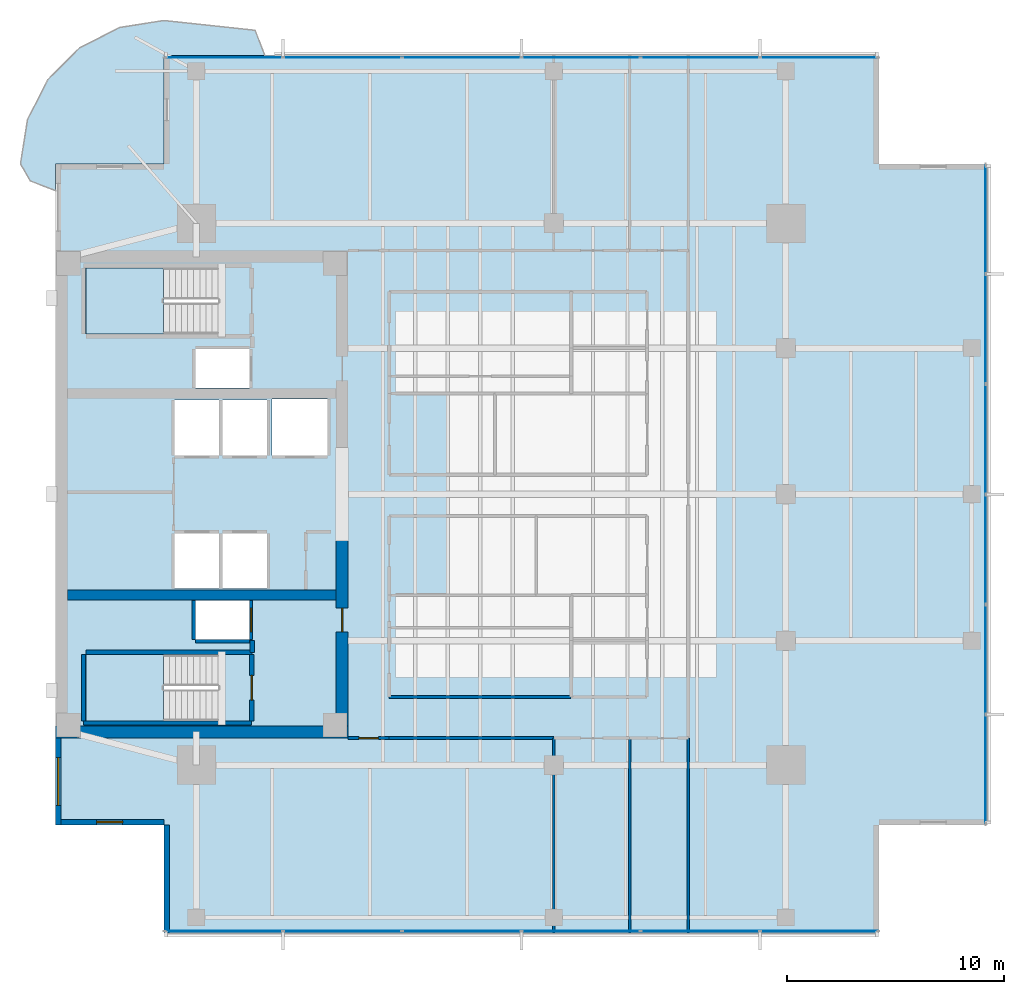
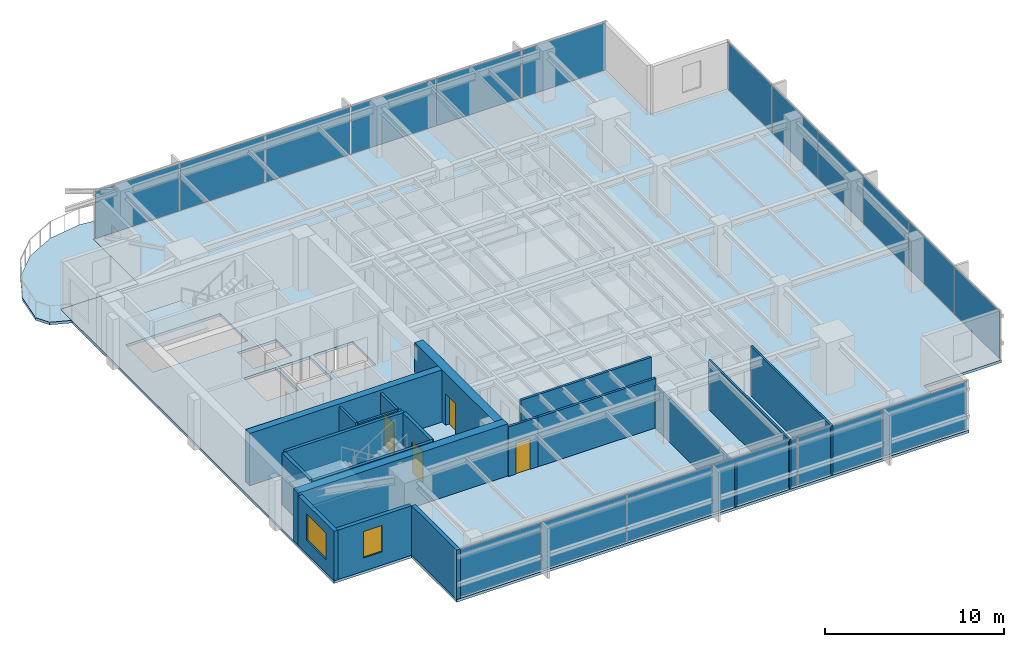
# One storey, part 7 of 14: 20 walls, 18 plates, 4 doors, 4 slabs, 2 windows, 6 openings, 5 elements without a shape of their own.
"""IFC4 building model written with IfcOpenShell, lengths in metres."""

from ifc_helpers import new_model, si_unit, direction, frame, frame_2d, origin, origin_2d, place, context, subcontext, project, spatial, polyline, rectangle, outline, extrude, material, layer, layer_set, type_object, element, fill, aggregate, save


model = new_model("IFC4")

# Units and contexts
model_context = context("Model", 3, precision=1e-05, world=origin(), true_north=direction((0.0, 1.0)))
body_context = subcontext(model_context, "Body", "Model", "MODEL_VIEW")
ifc_project = project(units=[si_unit("LENGTHUNIT", "METRE"), si_unit("AREAUNIT", "SQUARE_METRE"), si_unit("VOLUMEUNIT", "CUBIC_METRE"), si_unit("PLANEANGLEUNIT", "RADIAN"), si_unit("MASSUNIT", "GRAM", prefix="KILO")], contexts=[model_context])

# Site, building, storey
site_placement = place(None, origin())
site = spatial("IfcSite", under=ifc_project, at=site_placement, CompositionType="ELEMENT")
building_placement = place(site_placement, origin())
building = spatial("IfcBuilding", under=site, at=building_placement, Name="Kinhvarn Gate Tower", CompositionType="ELEMENT")
storey_placement = place(building_placement, frame((0.0, 0.0, 212.89990234375)))
storey = spatial("IfcBuildingStorey", under=building, at=storey_placement, Name="L56", CompositionType="ELEMENT", Elevation=212.89990234375)

# Curtain wall, plates
ifc_material_1 = material(Name="Anodised aluminium AW-6063", Category="aluminium")
ifc_layer_1 = layer(ifc_material_1, 0.179931640625)
ifc_layer_set_1 = layer_set([ifc_layer_1], Name="Anodised aluminium AW-6063")
curtain_wall_type = type_object("IfcCurtainWallType", Name="CW-SYS-3", PredefinedType="NOTDEFINED", material=ifc_layer_set_1)
curtain_wall_1_placement = place(storey_placement, origin())
curtain_wall_1 = element("IfcCurtainWall", 1, at=curtain_wall_1_placement, inside=storey, type_object=curtain_wall_type, Name="Curtain Wall CW3 (L56)", PredefinedType="NOTDEFINED")
ifc_material_2 = material(Name="Clear low-e double glazing", Category="glass")
ifc_layer_2 = layer(ifc_material_2, 0.031982421875)
ifc_layer_set_2 = layer_set([ifc_layer_2], Name="Clear low-e double glazing")
plate_type = type_object("IfcPlateType", Name="CW-PNL-VIS", PredefinedType="CURTAIN_PANEL", material=ifc_layer_set_2)
plate_1_placement = place(storey_placement, frame((12.266357421875, 5.090087890625, 0.070068359375), z_axis=(0.0, 0.0, 1.0), x_axis=(1.0, 0.0, 0.0)))
plate_1 = element("IfcPlate", 2, at=plate_1_placement, type_object=plate_type, Name="CW3 panel 1.1", PredefinedType="CURTAIN_PANEL", context=body_context, shape_type="SweptSolid", body=[
    extrude(rectangle(XDim=5.402587890625, YDim=0.031982421875, at=origin_2d()), origin(), (0.0, 0.0, 1.0), 3.22998046875),
])
plate_2_placement = place(storey_placement, frame((17.75, 5.090087890625, 0.070068359375), z_axis=(0.0, 0.0, 1.0), x_axis=(1.0, 0.0, 0.0)))
plate_2 = element("IfcPlate", 3, at=plate_2_placement, type_object=plate_type, Name="CW3 panel 2.1", PredefinedType="CURTAIN_PANEL", context=body_context, shape_type="SweptSolid", body=[
    extrude(rectangle(XDim=5.43505859375, YDim=0.031982421875, at=origin_2d()), origin(), (0.0, 0.0, 1.0), 3.22998046875),
])
plate_3_placement = place(storey_placement, frame((23.25, 5.090087890625, 0.070068359375), z_axis=(0.0, 0.0, 1.0), x_axis=(1.0, 0.0, 0.0)))
plate_3 = element("IfcPlate", 4, at=plate_3_placement, type_object=plate_type, Name="CW3 panel 3.1", PredefinedType="CURTAIN_PANEL", context=body_context, shape_type="SweptSolid", body=[
    extrude(rectangle(XDim=5.43505859375, YDim=0.031982421875, at=origin_2d()), origin(), (0.0, 0.0, 1.0), 3.22998046875),
])
plate_4_placement = place(storey_placement, frame((28.75, 5.090087890625, 0.070068359375), z_axis=(0.0, 0.0, 1.0), x_axis=(1.0, 0.0, 0.0)))
plate_4 = element("IfcPlate", 5, at=plate_4_placement, type_object=plate_type, Name="CW3 panel 4.1", PredefinedType="CURTAIN_PANEL", context=body_context, shape_type="SweptSolid", body=[
    extrude(rectangle(XDim=5.43505859375, YDim=0.031982421875, at=origin_2d()), origin(), (0.0, 0.0, 1.0), 3.22998046875),
])
plate_5_placement = place(storey_placement, frame((34.25, 5.090087890625, 0.070068359375), z_axis=(0.0, 0.0, 1.0), x_axis=(1.0, 0.0, 0.0)))
plate_5 = element("IfcPlate", 6, at=plate_5_placement, type_object=plate_type, Name="CW3 panel 5.1", PredefinedType="CURTAIN_PANEL", context=body_context, shape_type="SweptSolid", body=[
    extrude(rectangle(XDim=5.43505859375, YDim=0.031982421875, at=origin_2d()), origin(), (0.0, 0.0, 1.0), 3.22998046875),
])
plate_6_placement = place(storey_placement, frame((39.733642578125, 5.090087890625, 0.070068359375), z_axis=(0.0, 0.0, 1.0), x_axis=(1.0, 0.0, 0.0)))
plate_6 = element("IfcPlate", 7, at=plate_6_placement, type_object=plate_type, Name="CW3 panel 6.1", PredefinedType="CURTAIN_PANEL", context=body_context, shape_type="SweptSolid", body=[
    extrude(rectangle(XDim=5.402587890625, YDim=0.031982421875, at=origin_2d()), origin(), (0.0, 0.0, 1.0), 3.22998046875),
])
aggregate(curtain_wall_1, [plate_1, plate_2, plate_3, plate_4, plate_5, plate_6])

curtain_wall_2_placement = place(storey_placement, origin())
curtain_wall_2 = element("IfcCurtainWall", 8, at=curtain_wall_2_placement, inside=storey, type_object=curtain_wall_type, Name="Curtain Wall CW3 (L56)", PredefinedType="NOTDEFINED")
plate_7_placement = place(storey_placement, frame((39.733642578125, 45.409912109375, 0.070068359375), z_axis=(0.0, 0.0, 1.0), x_axis=(-1.0, 0.0, 0.0)))
plate_7 = element("IfcPlate", 9, at=plate_7_placement, type_object=plate_type, Name="CW3 panel 1.1", PredefinedType="CURTAIN_PANEL", context=body_context, shape_type="SweptSolid", body=[
    extrude(rectangle(XDim=5.402587890625, YDim=0.031982421875, at=origin_2d()), origin(), (0.0, 0.0, 1.0), 3.22998046875),
])
plate_8_placement = place(storey_placement, frame((34.25, 45.409912109375, 0.070068359375), z_axis=(0.0, 0.0, 1.0), x_axis=(-1.0, 0.0, 0.0)))
plate_8 = element("IfcPlate", 10, at=plate_8_placement, type_object=plate_type, Name="CW3 panel 2.1", PredefinedType="CURTAIN_PANEL", context=body_context, shape_type="SweptSolid", body=[
    extrude(rectangle(XDim=5.43505859375, YDim=0.031982421875, at=origin_2d()), origin(), (0.0, 0.0, 1.0), 3.22998046875),
])
plate_9_placement = place(storey_placement, frame((28.75, 45.409912109375, 0.070068359375), z_axis=(0.0, 0.0, 1.0), x_axis=(-1.0, 0.0, 0.0)))
plate_9 = element("IfcPlate", 11, at=plate_9_placement, type_object=plate_type, Name="CW3 panel 3.1", PredefinedType="CURTAIN_PANEL", context=body_context, shape_type="SweptSolid", body=[
    extrude(rectangle(XDim=5.43505859375, YDim=0.031982421875, at=origin_2d()), origin(), (0.0, 0.0, 1.0), 3.22998046875),
])
plate_10_placement = place(storey_placement, frame((23.25, 45.409912109375, 0.070068359375), z_axis=(0.0, 0.0, 1.0), x_axis=(-1.0, 0.0, 0.0)))
plate_10 = element("IfcPlate", 12, at=plate_10_placement, type_object=plate_type, Name="CW3 panel 4.1", PredefinedType="CURTAIN_PANEL", context=body_context, shape_type="SweptSolid", body=[
    extrude(rectangle(XDim=5.43505859375, YDim=0.031982421875, at=origin_2d()), origin(), (0.0, 0.0, 1.0), 3.22998046875),
])
plate_11_placement = place(storey_placement, frame((17.75, 45.409912109375, 0.070068359375), z_axis=(0.0, 0.0, 1.0), x_axis=(-1.0, 0.0, 0.0)))
plate_11 = element("IfcPlate", 13, at=plate_11_placement, type_object=plate_type, Name="CW3 panel 5.1", PredefinedType="CURTAIN_PANEL", context=body_context, shape_type="SweptSolid", body=[
    extrude(rectangle(XDim=5.43505859375, YDim=0.031982421875, at=origin_2d()), origin(), (0.0, 0.0, 1.0), 3.22998046875),
])
plate_12_placement = place(storey_placement, frame((12.266357421875, 45.409912109375, 0.070068359375), z_axis=(0.0, 0.0, 1.0), x_axis=(-1.0, 0.0, 0.0)))
plate_12 = element("IfcPlate", 14, at=plate_12_placement, type_object=plate_type, Name="CW3 panel 6.1", PredefinedType="CURTAIN_PANEL", context=body_context, shape_type="SweptSolid", body=[
    extrude(rectangle(XDim=5.402587890625, YDim=0.031982421875, at=origin_2d()), origin(), (0.0, 0.0, 1.0), 3.22998046875),
])
aggregate(curtain_wall_2, [plate_7, plate_8, plate_9, plate_10, plate_11, plate_12])

curtain_wall_3_placement = place(storey_placement, origin())
curtain_wall_3 = element("IfcCurtainWall", 15, at=curtain_wall_3_placement, inside=storey, type_object=curtain_wall_type, Name="Curtain Wall CW3 (L56)", PredefinedType="NOTDEFINED")
plate_13_placement = place(storey_placement, frame((47.409912109375, 12.557861328125, 0.070068359375), z_axis=(0.0, 0.0, 1.0), x_axis=(0.0, 1.0, 0.0)))
plate_13 = element("IfcPlate", 16, at=plate_13_placement, type_object=plate_type, Name="CW3 panel 1.1", PredefinedType="CURTAIN_PANEL", context=body_context, shape_type="SweptSolid", body=[
    extrude(rectangle(XDim=4.98583984375, YDim=0.031982421875, at=origin_2d()), origin(), (0.0, 0.0, 1.0), 3.22998046875),
])
plate_14_placement = place(storey_placement, frame((47.409912109375, 17.625, 0.070068359375), z_axis=(0.0, 0.0, 1.0), x_axis=(0.0, 1.0, 0.0)))
plate_14 = element("IfcPlate", 17, at=plate_14_placement, type_object=plate_type, Name="CW3 panel 2.1", PredefinedType="CURTAIN_PANEL", context=body_context, shape_type="SweptSolid", body=[
    extrude(rectangle(XDim=5.018310546875, YDim=0.031982421875, at=origin_2d()), origin(), (0.0, 0.0, 1.0), 3.22998046875),
])
plate_15_placement = place(storey_placement, frame((47.409912109375, 22.708251953125, 0.070068359375), z_axis=(0.0, 0.0, 1.0), x_axis=(0.0, 1.0, 0.0)))
plate_15 = element("IfcPlate", 18, at=plate_15_placement, type_object=plate_type, Name="CW3 panel 3.1", PredefinedType="CURTAIN_PANEL", context=body_context, shape_type="SweptSolid", body=[
    extrude(rectangle(XDim=5.018310546875, YDim=0.031982421875, at=origin_2d()), origin(), (0.0, 0.0, 1.0), 3.22998046875),
])
plate_16_placement = place(storey_placement, frame((47.409912109375, 27.791748046875, 0.070068359375), z_axis=(0.0, 0.0, 1.0), x_axis=(0.0, 1.0, 0.0)))
plate_16 = element("IfcPlate", 19, at=plate_16_placement, type_object=plate_type, Name="CW3 panel 4.1", PredefinedType="CURTAIN_PANEL", context=body_context, shape_type="SweptSolid", body=[
    extrude(rectangle(XDim=5.018310546875, YDim=0.031982421875, at=origin_2d()), origin(), (0.0, 0.0, 1.0), 3.22998046875),
])
plate_17_placement = place(storey_placement, frame((47.409912109375, 32.875, 0.070068359375), z_axis=(0.0, 0.0, 1.0), x_axis=(0.0, 1.0, 0.0)))
plate_17 = element("IfcPlate", 20, at=plate_17_placement, type_object=plate_type, Name="CW3 panel 5.1", PredefinedType="CURTAIN_PANEL", context=body_context, shape_type="SweptSolid", body=[
    extrude(rectangle(XDim=5.018310546875, YDim=0.031982421875, at=origin_2d()), origin(), (0.0, 0.0, 1.0), 3.22998046875),
])
plate_18_placement = place(storey_placement, frame((47.409912109375, 37.942138671875, 0.070068359375), z_axis=(0.0, 0.0, 1.0), x_axis=(0.0, 1.0, 0.0)))
plate_18 = element("IfcPlate", 21, at=plate_18_placement, type_object=plate_type, Name="CW3 panel 6.1", PredefinedType="CURTAIN_PANEL", context=body_context, shape_type="SweptSolid", body=[
    extrude(rectangle(XDim=4.98583984375, YDim=0.031982421875, at=origin_2d()), origin(), (0.0, 0.0, 1.0), 3.22998046875),
])
aggregate(curtain_wall_3, [plate_13, plate_14, plate_15, plate_16, plate_17, plate_18])

# Slabs
ifc_material_3 = material(Name="Precast white architectural concrete C40/50", Category="concrete")
ifc_layer_3 = layer(ifc_material_3, 0.179931640625)
ifc_layer_set_3 = layer_set([ifc_layer_3], Name="Precast white architectural concrete C40/50")
slab_type_1 = type_object("IfcSlabType", Name="SLB-BAL-180", PredefinedType="FLOOR", material=ifc_layer_set_3)
slab_1_placement = place(storey_placement, frame((0.0, 0.0, -0.179931640625)))
element("IfcSlab", 22, at=slab_1_placement, inside=storey, type_object=slab_type_1, Name="S-Carve Curved Terrace Balcony Slab L56 (NW)", PredefinedType="FLOOR", context=body_context, shape_type="SweptSolid", body=[
    extrude(outline(polyline([(14.159912109375, 45.5), (13.7099609375, 46.662109375), (9.5, 47.114013671875), (7.456298828125, 46.790283203125), (5.6123046875, 45.850830078125), (4.149169921875, 44.3876953125), (3.209716796875, 42.543701171875), (2.885986328125, 40.5), (3.337890625, 39.715087890625), (4.5, 39.264892578125), (4.5, 40.5), (9.5, 40.5), (9.5, 45.5), (14.159912109375, 45.5)])), origin(), (0.0, 0.0, 1.0), 0.179931640625),
])
ifc_material_4 = material(Name="Concrete C40/50", Category="concrete")
ifc_layer_4 = layer(ifc_material_4, 0.179931640625)
ifc_layer_set_4 = layer_set([ifc_layer_4], Name="Concrete C40/50")
slab_type_2 = type_object("IfcSlabType", Name="SLB-FLR-180", PredefinedType="FLOOR", material=ifc_layer_set_4)
slab_2_placement = place(storey_placement, frame((0.0, 0.0, -0.179931640625)))
element("IfcSlab", 23, at=slab_2_placement, inside=storey, type_object=slab_type_2, Name="Suspended Floor Slab L56", PredefinedType="FLOOR", context=body_context, shape_type="SweptSolid", body=[
    extrude(outline(polyline([(9.5, 5.0), (42.5, 5.0), (42.5, 10.0), (47.5, 10.0), (47.5, 40.5), (42.5, 40.5), (42.5, 45.5), (9.5, 45.5), (9.5, 40.5), (4.5, 40.5), (4.5, 10.0), (9.5, 10.0), (9.5, 5.0)]), holes=[polyline([(5.89990234375, 14.800048828125), (12.0, 14.800048828125), (12.0, 17.85009765625), (5.89990234375, 17.85009765625), (5.89990234375, 14.800048828125)]), polyline([(5.89990234375, 32.64990234375), (12.0, 32.64990234375), (12.0, 35.699951171875), (5.89990234375, 35.699951171875), (5.89990234375, 32.64990234375)]), polyline([(10.0, 20.89990234375), (12.050048828125, 20.89990234375), (12.050048828125, 23.449951171875), (10.0, 23.449951171875), (10.0, 20.89990234375)]), polyline([(12.199951171875, 20.89990234375), (14.25, 20.89990234375), (14.25, 23.449951171875), (12.199951171875, 23.449951171875), (12.199951171875, 20.89990234375)]), polyline([(10.0, 27.050048828125), (12.050048828125, 27.050048828125), (12.050048828125, 29.60009765625), (10.0, 29.60009765625), (10.0, 27.050048828125)]), polyline([(12.199951171875, 27.050048828125), (14.25, 27.050048828125), (14.25, 29.60009765625), (12.199951171875, 29.60009765625), (12.199951171875, 27.050048828125)]), polyline([(14.5, 27.050048828125), (17.050048828125, 27.050048828125), (17.050048828125, 29.64990234375), (14.5, 29.64990234375), (14.5, 27.050048828125)]), polyline([(10.949951171875, 18.550048828125), (13.449951171875, 18.550048828125), (13.449951171875, 20.35009765625), (10.949951171875, 20.35009765625), (10.949951171875, 18.550048828125)]), polyline([(10.949951171875, 30.14990234375), (13.449951171875, 30.14990234375), (13.449951171875, 31.949951171875), (10.949951171875, 31.949951171875), (10.949951171875, 30.14990234375)])]), origin(), (0.0, 0.0, 1.0), 0.179931640625),
])

# Stair, slab
stair_type = type_object("IfcStairType", Name="STR-DLG-177", PredefinedType="HALF_TURN_STAIR", material=ifc_material_4)
stair_1_placement = place(storey_placement, origin())
stair_1 = element("IfcStair", 24, at=stair_1_placement, inside=storey, type_object=stair_type, Name="L56 Core Smokeproof Exit Stair ST1", PredefinedType="HALF_TURN_STAIR")
ifc_layer_5 = layer(ifc_material_4, 0.199951171875)
ifc_layer_set_5 = layer_set([ifc_layer_5], Name="Concrete C40/50")
slab_type_3 = type_object("IfcSlabType", Name="SLB-ST-LND", PredefinedType="LANDING", material=ifc_layer_set_5)
slab_3_placement = place(storey_placement, frame((0.0, 0.0, 1.5751953125)))
slab_3 = element("IfcSlab", 25, at=slab_3_placement, type_object=slab_type_3, Name="ST1 landing 1", PredefinedType="LANDING", context=body_context, shape_type="SweptSolid", body=[
    extrude(outline(polyline([(9.47998046875, 17.85009765625), (5.89990234375, 17.85009765625), (5.89990234375, 14.800048828125), (9.47998046875, 14.800048828125), (9.47998046875, 17.85009765625)])), origin(), (0.0, 0.0, 1.0), 0.199951171875),
])
aggregate(stair_1, [slab_3])

stair_2_placement = place(storey_placement, origin())
stair_2 = element("IfcStair", 26, at=stair_2_placement, inside=storey, type_object=stair_type, Name="L56 Core Smokeproof Exit Stair ST2", PredefinedType="HALF_TURN_STAIR")
slab_4_placement = place(storey_placement, frame((0.0, 0.0, 1.5751953125)))
slab_4 = element("IfcSlab", 27, at=slab_4_placement, type_object=slab_type_3, Name="ST2 landing 1", PredefinedType="LANDING", context=body_context, shape_type="SweptSolid", body=[
    extrude(outline(polyline([(9.47998046875, 35.699951171875), (5.89990234375, 35.699951171875), (5.89990234375, 32.64990234375), (9.47998046875, 32.64990234375), (9.47998046875, 35.699951171875)])), origin(), (0.0, 0.0, 1.0), 0.199951171875),
])
aggregate(stair_2, [slab_4])

# Walls
ifc_material_5 = material(Name="Concrete C50/60", Category="concrete")
ifc_layer_6 = layer(ifc_material_5, 0.449951171875)
ifc_layer_set_6 = layer_set([ifc_layer_6], Name="Concrete C50/60")
wall_type_1 = type_object("IfcWallType", Name="WL-CORE-450", PredefinedType="SHEAR", material=ifc_layer_set_6)
wall_1_placement = place(storey_placement, frame((5.050048828125, 20.60009765625, 0.0), z_axis=(0.0, 0.0, 1.0), x_axis=(1.0, 0.0, 0.0)))
element("IfcWall", 28, at=wall_1_placement, inside=storey, type_object=wall_type_1, Name="Core South Spine Shear Wall L56 450 mm", PredefinedType="SHEAR", context=body_context, shape_type="SweptSolid", body=[
    extrude(rectangle(XDim=12.39990234375, YDim=0.449951171875, at=frame_2d((6.199951171875, 0.0))), origin(), (0.0, 0.0, 1.0), 3.550048828125),
])
ifc_material_6 = material(Name="Concrete C60/75", Category="concrete")
ifc_layer_7 = layer(ifc_material_6, 0.550048828125)
ifc_layer_set_7 = layer_set([ifc_layer_7], Name="Concrete C60/75")
wall_type_2 = type_object("IfcWallType", Name="WL-CORE-550", PredefinedType="SHEAR", material=ifc_layer_set_7)
wall_2_placement = place(storey_placement, frame((4.5, 14.27490234375, 0.0), z_axis=(0.0, 0.0, 1.0), x_axis=(1.0, 0.0, 0.0)))
element("IfcWall", 29, at=wall_2_placement, inside=storey, type_object=wall_type_2, Name="Core South Shear Wall L56 550 mm", PredefinedType="SHEAR", context=body_context, shape_type="SweptSolid", body=[
    extrude(rectangle(XDim=13.5, YDim=0.550048828125, at=frame_2d((6.75, 0.0))), origin(), (0.0, 0.0, 1.0), 3.550048828125),
])

# Wall, opening, door
wall_3_placement = place(storey_placement, frame((17.72509765625, 14.550048828125, 0.0), z_axis=(0.0, 0.0, 1.0), x_axis=(0.0, 1.0, 0.0)))
wall_3 = element("IfcWall", 30, at=wall_3_placement, inside=storey, type_object=wall_type_2, Name="Core East-South Shear Pier L56 550 mm", PredefinedType="SHEAR", context=body_context, shape_type="SweptSolid", body=[
    extrude(rectangle(XDim=8.89990234375, YDim=0.550048828125, at=frame_2d((4.449951171875, 0.0))), origin(), (0.0, 0.0, 1.0), 3.550048828125),
])
opening_1_placement = place(wall_3_placement, frame((4.35009765625, 0.0, 0.0)))
opening_1 = element("IfcOpeningElement", 31, at=opening_1_placement, cuts=wall_3, Name="Opening FD-02", PredefinedType="OPENING", context=body_context, shape_type="SweptSolid", body=[
    extrude(rectangle(XDim=1.10009765625, YDim=2.14990234375, at=frame_2d((0.550048828125, 1.074951171875))), frame((0.0, 0.28515625, 0.0), z_axis=(0.0, -1.0, 0.0), x_axis=(1.0, 0.0, 0.0)), (0.0, 0.0, 1.0), 0.570068359375),
])
door_type_1 = type_object("IfcDoorType", Name="DR-FD-1100", OperationType="NOTDEFINED", PredefinedType="DOOR", material=ifc_material_1)
door_1_placement = place(opening_1_placement, origin())
door_1 = element("IfcDoor", 32, at=door_1_placement, inside=storey, type_object=door_type_1, Name="Firefighting Lobby Core Door (L56)", OperationType="SINGLE_SWING_RIGHT", OverallHeight=2.14990234375, OverallWidth=1.10009765625, PredefinedType="DOOR", context=body_context, shape_type="SweptSolid", body=[
    extrude(rectangle(XDim=1.10009765625, YDim=2.14990234375, at=frame_2d((0.550048828125, 1.074951171875))), frame((0.0, 0.02490234375, 0.0), z_axis=(0.0, -1.0, 0.0), x_axis=(1.0, 0.0, 0.0)), (0.0, 0.0, 1.0), 0.050048828125),
])
fill(opening_1, door_1)

# Wall, opening, window
ifc_material_7 = material(Name="Fired architectural terracotta", Category="masonry")
ifc_layer_8 = layer(ifc_material_7, 0.25)
ifc_layer_set_8 = layer_set([ifc_layer_8], Name="Fired architectural terracotta")
wall_type_3 = type_object("IfcWallType", Name="WL-EXT-250", PredefinedType="SOLIDWALL", material=ifc_layer_set_8)
wall_4_placement = place(storey_placement, frame((4.625, 14.0, 0.0), z_axis=(0.0, 0.0, 1.0), x_axis=(0.0, -1.0, 0.0)))
wall_4 = element("IfcWall", 33, at=wall_4_placement, inside=storey, type_object=wall_type_3, Name="Exterior Solidwall Wall EW-250 (L56 West-South)", PredefinedType="SOLIDWALL", context=body_context, shape_type="SweptSolid", body=[
    extrude(rectangle(XDim=4.0, YDim=0.25, at=frame_2d((2.0, 0.0))), origin(), (0.0, 0.0, 1.0), 3.3701171875),
])
opening_2_placement = place(wall_4_placement, frame((0.89990234375, 0.0, 0.89990234375)))
opening_2 = element("IfcOpeningElement", 34, at=opening_2_placement, cuts=wall_4, Name="Opening WN-01", PredefinedType="OPENING", context=body_context, shape_type="SweptSolid", body=[
    extrude(rectangle(XDim=2.199951171875, YDim=1.800048828125, at=frame_2d((1.10009765625, 0.89990234375))), frame((0.0, 0.135009765625, 0.0), z_axis=(0.0, -1.0, 0.0), x_axis=(1.0, 0.0, 0.0)), (0.0, 0.0, 1.0), 0.27001953125),
])
window_type_1 = type_object("IfcWindowType", Name="WIN-RIB-2200", PartitioningType="SINGLE_PANEL", PredefinedType="WINDOW", material=ifc_material_2)
window_1_placement = place(opening_2_placement, origin())
window_1 = element("IfcWindow", 35, at=window_1_placement, inside=storey, type_object=window_type_1, Name="West Flank Double-Glazed Ribbon Window 2200x1800 mm (L56)", OverallHeight=1.800048828125, OverallWidth=2.199951171875, PartitioningType="SINGLE_PANEL", PredefinedType="WINDOW", context=body_context, shape_type="SweptSolid", body=[
    extrude(rectangle(XDim=2.199951171875, YDim=1.800048828125, at=frame_2d((1.10009765625, 0.89990234375))), frame((0.0, 0.030029296875, 0.0), z_axis=(0.0, -1.0, 0.0), x_axis=(1.0, 0.0, 0.0)), (0.0, 0.0, 1.0), 0.06005859375),
])
fill(opening_2, window_1)

wall_5_placement = place(storey_placement, frame((4.5, 10.125, 0.0), z_axis=(0.0, 0.0, 1.0), x_axis=(1.0, 0.0, 0.0)))
wall_5 = element("IfcWall", 36, at=wall_5_placement, inside=storey, type_object=wall_type_3, Name="Exterior Solidwall Wall EW-250 (L56 SW-Notch-1)", PredefinedType="SOLIDWALL", context=body_context, shape_type="SweptSolid", body=[
    extrude(rectangle(XDim=5.0, YDim=0.25, at=frame_2d((2.5, 0.0))), origin(), (0.0, 0.0, 1.0), 3.3701171875),
])
opening_3_placement = place(wall_5_placement, frame((1.89990234375, 0.0, 0.89990234375)))
opening_3 = element("IfcOpeningElement", 37, at=opening_3_placement, cuts=wall_5, Name="Opening WN-02", PredefinedType="OPENING", context=body_context, shape_type="SweptSolid", body=[
    extrude(rectangle(XDim=1.199951171875, YDim=1.800048828125, at=frame_2d((0.60009765625, 0.89990234375))), frame((0.0, 0.135009765625, 0.0), z_axis=(0.0, -1.0, 0.0), x_axis=(1.0, 0.0, 0.0)), (0.0, 0.0, 1.0), 0.27001953125),
])
window_type_2 = type_object("IfcWindowType", Name="WIN-NTC-1200", PartitioningType="SINGLE_PANEL", PredefinedType="WINDOW", material=ifc_material_2)
window_2_placement = place(opening_3_placement, origin())
window_2 = element("IfcWindow", 38, at=window_2_placement, inside=storey, type_object=window_type_2, Name="Recessed Corner Notch Punched Window 1200x1800 mm (L56)", OverallHeight=1.800048828125, OverallWidth=1.199951171875, PartitioningType="SINGLE_PANEL", PredefinedType="WINDOW", context=body_context, shape_type="SweptSolid", body=[
    extrude(rectangle(XDim=1.199951171875, YDim=1.800048828125, at=frame_2d((0.60009765625, 0.89990234375))), frame((0.0, 0.030029296875, 0.0), z_axis=(0.0, -1.0, 0.0), x_axis=(1.0, 0.0, 0.0)), (0.0, 0.0, 1.0), 0.06005859375),
])
fill(opening_3, window_2)

# Walls
wall_6_placement = place(storey_placement, frame((9.625, 10.0, 0.0), z_axis=(0.0, 0.0, 1.0), x_axis=(0.0, -1.0, 0.0)))
element("IfcWall", 39, at=wall_6_placement, inside=storey, type_object=wall_type_3, Name="Exterior Solidwall Wall EW-250 (L56 SW-Notch-2)", PredefinedType="SOLIDWALL", context=body_context, shape_type="SweptSolid", body=[
    extrude(rectangle(XDim=5.0, YDim=0.25, at=frame_2d((2.5, 0.0))), origin(), (0.0, 0.0, 1.0), 3.3701171875),
])
ifc_material_8 = material(Name="Gypsum acoustic partition board")
ifc_layer_9 = layer(ifc_material_8, 0.1201171875)
ifc_layer_set_9 = layer_set([ifc_layer_9], Name="Gypsum acoustic partition board")
wall_type_4 = type_object("IfcWallType", Name="WL-PRT-120", PredefinedType="PARTITIONING", material=ifc_layer_set_9)
wall_7_placement = place(storey_placement, frame((27.5, 5.010009765625, 0.0), z_axis=(0.0, 0.0, 1.0), x_axis=(0.0, 1.0, 0.0)))
element("IfcWall", 40, at=wall_7_placement, inside=storey, type_object=wall_type_4, Name="Interior Partition PW-120 (L56)", PredefinedType="PARTITIONING", context=body_context, shape_type="SweptSolid", body=[
    extrude(rectangle(XDim=8.989990234375, YDim=0.1201171875, at=frame_2d((4.4951171875, 0.0))), origin(), (0.0, 0.0, 1.0), 2.920166015625),
])
for number, where, z_axis, x_axis, name in (
    (41, (31.0, 5.010009765625, 0.0), (0.0, 0.0, 1.0), (0.0, 1.0, 0.0), "Interior Partition PW-120 (L56)"),
    (42, (33.699951171875, 5.010009765625, 0.0), (0.0, 0.0, 1.0), (0.0, 1.0, 0.0), "Interior Partition PW-120 (L56)"),
):
    element("IfcWall", number, at=place(storey_placement, frame(where, z_axis=z_axis, x_axis=x_axis)), inside=storey, type_object=wall_type_4, Name=name, PredefinedType="PARTITIONING", context=body_context, shape_type="SweptSolid", body=[
        extrude(rectangle(XDim=8.989990234375, YDim=0.1201171875, at=frame_2d((4.4951171875, 0.0))), origin(), (0.0, 0.0, 1.0), 3.3701171875),
    ])

# Wall, opening, door
ifc_layer_10 = layer(ifc_material_8, 0.14990234375)
ifc_layer_set_10 = layer_set([ifc_layer_10], Name="Gypsum acoustic partition board")
wall_type_5 = type_object("IfcWallType", Name="WL-PRT-150F", PredefinedType="PARTITIONING", material=ifc_layer_set_10)
wall_8_placement = place(storey_placement, frame((18.0, 14.0, 0.0), z_axis=(0.0, 0.0, 1.0), x_axis=(1.0, 0.0, 0.0)))
wall_8 = element("IfcWall", 43, at=wall_8_placement, inside=storey, type_object=wall_type_5, Name="Interior Partition PW-150F (L56)", PredefinedType="PARTITIONING", context=body_context, shape_type="SweptSolid", body=[
    extrude(rectangle(XDim=1.89990234375, YDim=0.14990234375, at=frame_2d((0.949951171875, 0.0))), origin(), (0.0, 0.0, 1.0), 3.3701171875),
])
opening_4_placement = place(wall_8_placement, frame((0.5, 0.0, 0.0)))
opening_4 = element("IfcOpeningElement", 44, at=opening_4_placement, cuts=wall_8, Name="Opening ID-03", PredefinedType="OPENING", context=body_context, shape_type="SweptSolid", body=[
    extrude(rectangle(XDim=0.89990234375, YDim=2.10009765625, at=frame_2d((0.449951171875, 1.050048828125))), frame((0.0, 0.0849609375, 0.0), z_axis=(0.0, -1.0, 0.0), x_axis=(1.0, 0.0, 0.0)), (0.0, 0.0, 1.0), 0.169921875),
])
door_type_2 = type_object("IfcDoorType", Name="DR-INT-900", OperationType="NOTDEFINED", PredefinedType="DOOR", material=ifc_material_1)
door_2_placement = place(opening_4_placement, origin())
door_2 = element("IfcDoor", 45, at=door_2_placement, inside=storey, type_object=door_type_2, Name="Cellular Office & Restroom Door 900x2100 mm (L56)", OperationType="SINGLE_SWING_RIGHT", OverallHeight=2.10009765625, OverallWidth=0.89990234375, PredefinedType="DOOR", context=body_context, shape_type="SweptSolid", body=[
    extrude(rectangle(XDim=0.89990234375, YDim=2.10009765625, at=frame_2d((0.449951171875, 1.050048828125))), frame((0.0, 0.02490234375, 0.0), z_axis=(0.0, -1.0, 0.0), x_axis=(1.0, 0.0, 0.0)), (0.0, 0.0, 1.0), 0.050048828125),
])
fill(opening_4, door_2)

# Walls
wall_9_placement = place(storey_placement, frame((19.89990234375, 15.89990234375, 0.0), z_axis=(0.0, 0.0, 1.0), x_axis=(1.0, 0.0, 0.0)))
element("IfcWall", 46, at=wall_9_placement, inside=storey, type_object=wall_type_5, Name="Interior Partition PW-150F (L56)", PredefinedType="PARTITIONING", context=body_context, shape_type="SweptSolid", body=[
    extrude(rectangle(XDim=8.400146484375, YDim=0.14990234375, at=frame_2d((4.2001953125, 0.0))), origin(), (0.0, 0.0, 1.0), 3.3701171875),
])
wall_10_placement = place(storey_placement, frame((19.89990234375, 14.0, 0.0), z_axis=(0.0, 0.0, 1.0), x_axis=(1.0, 0.0, 0.0)))
element("IfcWall", 47, at=wall_10_placement, inside=storey, type_object=wall_type_5, Name="Interior Partition PW-150F (L56)", PredefinedType="PARTITIONING", context=body_context, shape_type="SweptSolid", body=[
    extrude(rectangle(XDim=7.60009765625, YDim=0.14990234375, at=frame_2d((3.800048828125, 0.0))), origin(), (0.0, 0.0, 1.0), 3.3701171875),
])
ifc_layer_11 = layer(ifc_material_8, 0.199951171875)
ifc_layer_set_11 = layer_set([ifc_layer_11], Name="Gypsum acoustic partition board")
wall_type_6 = type_object("IfcWallType", Name="WL-PRT-200", PredefinedType="PARTITIONING", material=ifc_layer_set_11)
wall_11_placement = place(storey_placement, frame((13.580078125, 17.9599609375, 0.0), z_axis=(0.0, 0.0, 1.0), x_axis=(0.0, 1.0, 0.0)))
element("IfcWall", 48, at=wall_11_placement, inside=storey, type_object=wall_type_6, Name="Interior Partition PW-200 (L56)", PredefinedType="PARTITIONING", context=body_context, shape_type="SweptSolid", body=[
    extrude(rectangle(XDim=0.5400390625, YDim=0.199951171875, at=frame_2d((0.27001953125, 0.0))), origin(), (0.0, 0.0, 1.0), 3.3701171875),
])
ifc_layer_12 = layer(ifc_material_8, 0.14990234375)
ifc_layer_set_12 = layer_set([ifc_layer_12], Name="Gypsum acoustic partition board")
wall_type_7 = type_object("IfcWallType", Name="WL-SHF-150", PredefinedType="PARTITIONING", material=ifc_layer_set_12)
wall_12_placement = place(storey_placement, frame((10.949951171875, 18.47509765625, 0.0), z_axis=(0.0, 0.0, 1.0), x_axis=(1.0, 0.0, 0.0)))
element("IfcWall", 49, at=wall_12_placement, inside=storey, type_object=wall_type_7, Name="Elevator FF1 Hoistway Wall S (L56)", PredefinedType="PARTITIONING", context=body_context, shape_type="SweptSolid", body=[
    extrude(rectangle(XDim=2.5, YDim=0.14990234375, at=frame_2d((1.25, 0.0))), origin(), (0.0, 0.0, 1.0), 3.3701171875),
])
wall_13_placement = place(storey_placement, frame((10.875, 18.550048828125, 0.0), z_axis=(0.0, 0.0, 1.0), x_axis=(0.0, 1.0, 0.0)))
element("IfcWall", 50, at=wall_13_placement, inside=storey, type_object=wall_type_7, Name="Elevator FF1 Hoistway Wall W (L56)", PredefinedType="PARTITIONING", context=body_context, shape_type="SweptSolid", body=[
    extrude(rectangle(XDim=1.800048828125, YDim=0.14990234375, at=frame_2d((0.89990234375, 0.0))), origin(), (0.0, 0.0, 1.0), 3.3701171875),
])

# Wall, opening, door
wall_14_placement = place(storey_placement, frame((13.52490234375, 18.550048828125, 0.0), z_axis=(0.0, 0.0, 1.0), x_axis=(0.0, 1.0, 0.0)))
wall_14 = element("IfcWall", 51, at=wall_14_placement, inside=storey, type_object=wall_type_7, Name="Elevator FF1 Landing Wall (L56)", PredefinedType="PARTITIONING", context=body_context, shape_type="SweptSolid", body=[
    extrude(rectangle(XDim=1.800048828125, YDim=0.14990234375, at=frame_2d((0.89990234375, 0.0))), origin(), (0.0, 0.0, 1.0), 3.3701171875),
])
opening_5_placement = place(wall_14_placement, frame((0.35009765625, 0.0, 0.0)))
opening_5 = element("IfcOpeningElement", 52, at=opening_5_placement, cuts=wall_14, Name="Opening LD-03", PredefinedType="OPENING", context=body_context, shape_type="SweptSolid", body=[
    extrude(rectangle(XDim=1.10009765625, YDim=2.199951171875, at=frame_2d((0.550048828125, 1.10009765625))), frame((0.0, 0.0849609375, 0.0), z_axis=(0.0, -1.0, 0.0), x_axis=(1.0, 0.0, 0.0)), (0.0, 0.0, 1.0), 0.169921875),
])
door_type_3 = type_object("IfcDoorType", Name="DR-LND-FF", OperationType="NOTDEFINED", PredefinedType="DOOR", material=ifc_material_1)
door_3_placement = place(opening_5_placement, origin())
door_3 = element("IfcDoor", 53, at=door_3_placement, inside=storey, type_object=door_type_3, Name="Elevator FF1 Sliding Landing Door (L56)", OperationType="DOUBLE_DOOR_SLIDING", OverallHeight=2.199951171875, OverallWidth=1.10009765625, PredefinedType="DOOR", context=body_context, shape_type="SweptSolid", body=[
    extrude(rectangle(XDim=1.10009765625, YDim=2.199951171875, at=frame_2d((0.550048828125, 1.10009765625))), frame((0.0, 0.02490234375, 0.0), z_axis=(0.0, -1.0, 0.0), x_axis=(1.0, 0.0, 0.0)), (0.0, 0.0, 1.0), 0.050048828125),
])
fill(opening_5, door_3)

# Walls
ifc_layer_13 = layer(ifc_material_4, 0.199951171875)
ifc_layer_set_13 = layer_set([ifc_layer_13], Name="Concrete C40/50")
wall_type_8 = type_object("IfcWallType", Name="WL-SHF-200", PredefinedType="SOLIDWALL", material=ifc_layer_set_13)
wall_15_placement = place(storey_placement, frame((5.800048828125, 14.699951171875, 0.0), z_axis=(0.0, 0.0, 1.0), x_axis=(1.0, 0.0, 0.0)))
element("IfcWall", 54, at=wall_15_placement, inside=storey, type_object=wall_type_8, Name="Stair ST1 South Shaft Wall (L56)", PredefinedType="SOLIDWALL", context=body_context, shape_type="SweptSolid", body=[
    extrude(rectangle(XDim=7.75, YDim=0.199951171875, at=frame_2d((3.875, 0.0))), origin(), (0.0, 0.0, 1.0), 3.550048828125),
])
wall_16_placement = place(storey_placement, frame((5.7900390625, 14.800048828125, 0.0), z_axis=(0.0, 0.0, 1.0), x_axis=(0.0, 1.0, 0.0)))
element("IfcWall", 55, at=wall_16_placement, inside=storey, type_object=wall_type_8, Name="Stair ST1 West Shaft Wall (L56)", PredefinedType="SOLIDWALL", context=body_context, shape_type="SweptSolid", body=[
    extrude(rectangle(XDim=3.050048828125, YDim=0.199951171875, at=frame_2d((1.52490234375, 0.0))), origin(), (0.0, 0.0, 1.0), 3.550048828125),
])
wall_17_placement = place(storey_placement, frame((5.89990234375, 17.9599609375, 0.0), z_axis=(0.0, 0.0, 1.0), x_axis=(1.0, 0.0, 0.0)))
element("IfcWall", 56, at=wall_17_placement, inside=storey, type_object=wall_type_8, Name="Stair ST1 North Shaft Wall (L56)", PredefinedType="SOLIDWALL", context=body_context, shape_type="SweptSolid", body=[
    extrude(rectangle(XDim=7.66015625, YDim=0.199951171875, at=frame_2d((3.830078125, 0.0))), origin(), (0.0, 0.0, 1.0), 3.550048828125),
])

# Wall, opening, door
wall_18_placement = place(storey_placement, frame((13.56005859375, 14.800048828125, 0.0), z_axis=(0.0, 0.0, 1.0), x_axis=(0.0, 1.0, 0.0)))
wall_18 = element("IfcWall", 57, at=wall_18_placement, inside=storey, type_object=wall_type_8, Name="Stair ST1 East Entry Wall (L56)", PredefinedType="SOLIDWALL", context=body_context, shape_type="SweptSolid", body=[
    extrude(rectangle(XDim=3.050048828125, YDim=0.199951171875, at=frame_2d((1.52490234375, 0.0))), origin(), (0.0, 0.0, 1.0), 3.550048828125),
])
opening_6_placement = place(wall_18_placement, frame((0.949951171875, 0.0, 0.0)))
opening_6 = element("IfcOpeningElement", 58, at=opening_6_placement, cuts=wall_18, Name="Opening FD-01", PredefinedType="OPENING", context=body_context, shape_type="SweptSolid", body=[
    extrude(rectangle(XDim=1.14990234375, YDim=2.14990234375, at=frame_2d((0.574951171875, 1.074951171875))), frame((0.0, 0.10986328125, 0.0), z_axis=(0.0, -1.0, 0.0), x_axis=(1.0, 0.0, 0.0)), (0.0, 0.0, 1.0), 0.219970703125),
])
door_type_4 = type_object("IfcDoorType", Name="DR-ST-1150", OperationType="NOTDEFINED", PredefinedType="DOOR", material=ifc_material_1)
door_4_placement = place(opening_6_placement, origin())
door_4 = element("IfcDoor", 59, at=door_4_placement, inside=storey, type_object=door_type_4, Name="Exit Stair ST1 Fire Door (L56)", OperationType="SINGLE_SWING_RIGHT", OverallHeight=2.14990234375, OverallWidth=1.14990234375, PredefinedType="DOOR", context=body_context, shape_type="SweptSolid", body=[
    extrude(rectangle(XDim=1.14990234375, YDim=2.14990234375, at=frame_2d((0.574951171875, 1.074951171875))), frame((0.0, 0.02490234375, 0.0), z_axis=(0.0, -1.0, 0.0), x_axis=(1.0, 0.0, 0.0)), (0.0, 0.0, 1.0), 0.050048828125),
])
fill(opening_6, door_4)

save(model, "model.ifc")
